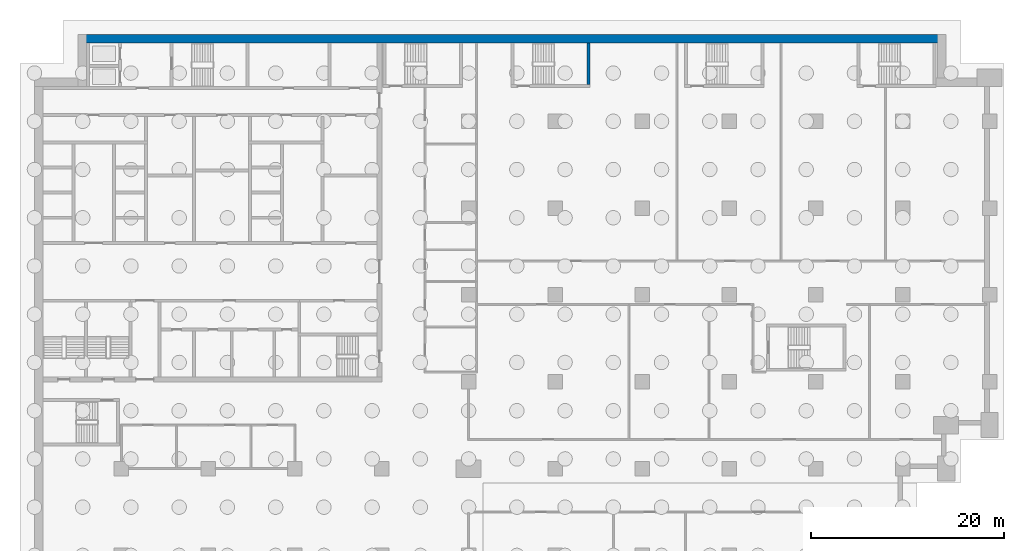
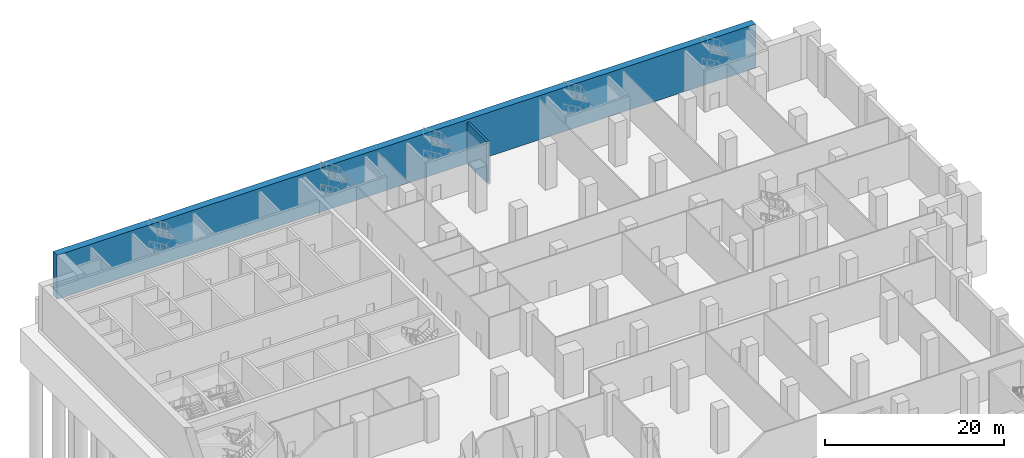
# One storey, part 9 of 25: 2 walls.
"""IFC4 building model written with IfcOpenShell, lengths in metres."""

from ifc_helpers import new_model, si_unit, direction, frame, frame_2d, origin, place, context, subcontext, project, spatial, rectangle, extrude, material, layer, layer_set, type_object, element, save


model = new_model("IFC4")

# Units and contexts
model_context = context("Model", 3, precision=1e-05, world=origin(), true_north=direction((0.0, 1.0)))
body_context = subcontext(model_context, "Body", "Model", "MODEL_VIEW")
ifc_project = project(units=[si_unit("LENGTHUNIT", "METRE"), si_unit("AREAUNIT", "SQUARE_METRE"), si_unit("VOLUMEUNIT", "CUBIC_METRE"), si_unit("PLANEANGLEUNIT", "RADIAN"), si_unit("MASSUNIT", "GRAM", prefix="KILO")], contexts=[model_context])

# Site, building, storey
site_placement = place(None, origin())
site = spatial("IfcSite", under=ifc_project, at=site_placement, CompositionType="ELEMENT")
building_placement = place(site_placement, origin())
building = spatial("IfcBuilding", under=site, at=building_placement, Name="Hunhe Ridgeline Campus", CompositionType="ELEMENT")
storey_placement = place(building_placement, frame((0.0, 0.0, -6.0)))
storey = spatial("IfcBuildingStorey", under=building, at=storey_placement, Name="B1", CompositionType="ELEMENT", Elevation=-6.0)

# Walls
ifc_material = material(Name="Concrete C80", Category="concrete")
ifc_layer_1 = layer(ifc_material, 0.89990234375)
ifc_layer_set_1 = layer_set([ifc_layer_1], Name="Spine wall 900 Concrete C80")
wall_type_1 = type_object("IfcWallType", Name="Spine wall 900 Concrete C80", PredefinedType="SHEAR", material=ifc_layer_set_1)
wall_1_placement = place(storey_placement, frame((94.5, 98.550048828125, 0.0), z_axis=(0.0, 0.0, 1.0), x_axis=(-1.0, 0.0, 0.0)))
element("IfcWall", 1, at=wall_1_placement, inside=storey, type_object=wall_type_1, Name="Spine wall SW1-4 B1", PredefinedType="SHEAR", context=body_context, shape_type="SweptSolid", body=[
    extrude(rectangle(XDim=90.0, YDim=0.89990234375, at=frame_2d((45.0, 0.0))), origin(), (0.0, 0.0, 1.0), 6.0),
])
ifc_layer_2 = layer(ifc_material, 0.300048828125)
ifc_layer_set_2 = layer_set([ifc_layer_2], Name="Stair wall 300 reinforced concrete C80")
wall_type_2 = type_object("IfcWallType", Name="Stair wall 300 reinforced concrete C80", PredefinedType="SOLIDWALL", material=ifc_layer_set_2)
wall_2_placement = place(storey_placement, frame((57.449951171875, 93.800048828125, 0.0), z_axis=(0.0, 0.0, 1.0), x_axis=(0.0, 1.0, 0.0)))
element("IfcWall", 2, at=wall_2_placement, inside=storey, type_object=wall_type_2, Name="B1 core wall 68", PredefinedType="SOLIDWALL", context=body_context, shape_type="SweptSolid", body=[
    extrude(rectangle(XDim=4.300048828125, YDim=0.300048828125, at=frame_2d((2.14990234375, 0.0))), origin(), (0.0, 0.0, 1.0), 5.60009765625),
])

save(model, "model.ifc")
